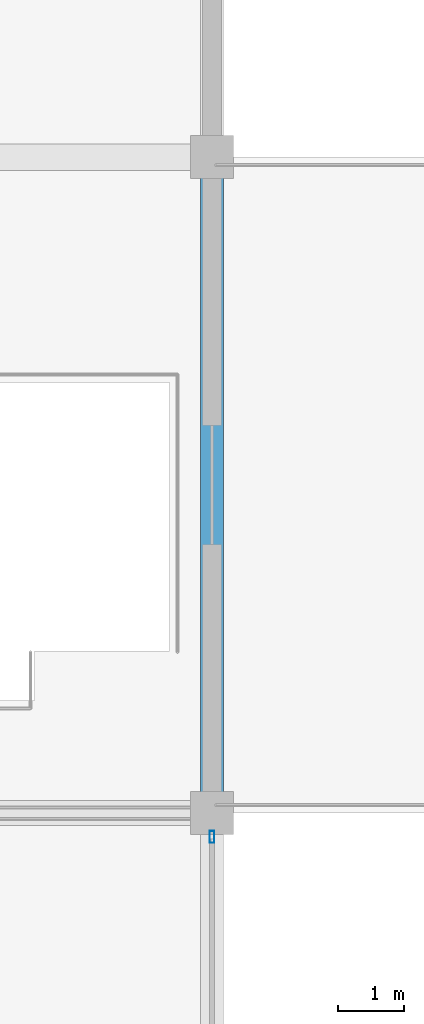
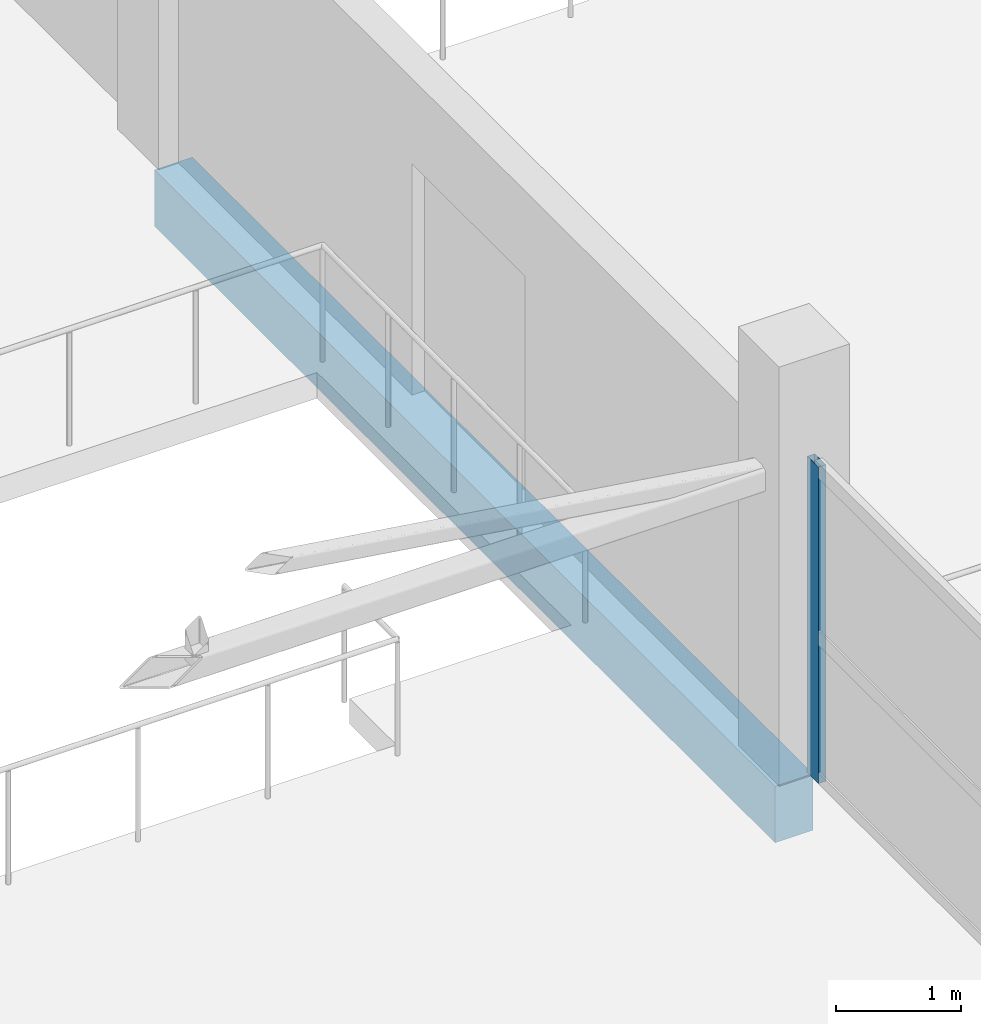
# One storey, part 28 of 53: 1 beam, 1 member, 1 element without a shape of its own.
"""IFC4 building model written with IfcOpenShell, lengths in metres."""

from ifc_helpers import new_model, si_unit, direction, frame, origin, origin_2d, place, context, subcontext, project, spatial, rectangle, hollow_rectangle, extrude, material, layer, layer_set, material_profile, profile_set, type_object, element, aggregate, save


model = new_model("IFC4")

# Units and contexts
model_context = context("Model", 3, precision=1e-05, world=origin(), true_north=direction((0.0, 1.0)))
body_context = subcontext(model_context, "Body", "Model", "MODEL_VIEW")
ifc_project = project(units=[si_unit("LENGTHUNIT", "METRE"), si_unit("AREAUNIT", "SQUARE_METRE"), si_unit("VOLUMEUNIT", "CUBIC_METRE"), si_unit("PLANEANGLEUNIT", "RADIAN"), si_unit("MASSUNIT", "GRAM", prefix="KILO")], contexts=[model_context])

# Site, building, storey
site_placement = place(None, origin())
site = spatial("IfcSite", under=ifc_project, at=site_placement, CompositionType="ELEMENT")
building_placement = place(site_placement, origin())
building = spatial("IfcBuilding", under=site, at=building_placement, Name="Sillaruma Civic Art Gallery", CompositionType="ELEMENT")
storey_placement = place(building_placement, frame((0.0, 0.0, 70.3798828125)))
storey = spatial("IfcBuildingStorey", under=building, at=storey_placement, Name="L14", CompositionType="ELEMENT", Elevation=70.3798828125)

# Beam
ifc_material_1 = material(Name="Concrete H35 (35 MPa)", Category="concrete")
ifc_material_profile_1 = material_profile(ifc_material_1, rectangle(XDim=0.35009765625, YDim=0.550048828125, at=origin_2d()), Name="RCB350x550")
ifc_profile_set_1 = profile_set([ifc_material_profile_1], Name="Concrete H35 (35 MPa)")
beam_type = type_object("IfcBeamType", Name="BM-SPANDREL-RCB350x550", PredefinedType="SPANDREL", material=ifc_profile_set_1)
beam_placement = place(storey_placement, frame((92.0, 69.300048828125, -0.52490234375), z_axis=(0.0, 1.0, 0.0), x_axis=(-1.0, 0.0, 0.0)))
element("IfcBeam", 1, at=beam_placement, inside=storey, type_object=beam_type, Name="Beam BS-04 (L13:K:8-9)", PredefinedType="SPANDREL", context=body_context, shape_type="SweptSolid", body=[
    extrude(rectangle(XDim=0.35009765625, YDim=0.550048828125, at=origin_2d()), origin(), (0.0, 0.0, 1.0), 9.89990234375),
])

# Curtain wall, member
ifc_material_2 = material(Name="Thermally Broken Extruded Aluminium 6063-T6", Category="aluminium")
ifc_layer = layer(ifc_material_2, 0.179931640625, Name="Thermally Broken Extruded Aluminium 6063-T6")
ifc_layer_set = layer_set([ifc_layer], Name="Thermally Broken Extruded Aluminium 6063-T6")
curtain_wall_type = type_object("IfcCurtainWallType", Name="CW-UNI-90", PredefinedType="NOTDEFINED", material=ifc_layer_set)
curtain_wall_placement = place(storey_placement, origin())
curtain_wall = element("IfcCurtainWall", 2, at=curtain_wall_placement, inside=storey, type_object=curtain_wall_type, Name="Unitised Curtain Wall CW-90 (CW-L14-WBE-5)", PredefinedType="NOTDEFINED")
ifc_material_profile_2 = material_profile(ifc_material_2, hollow_rectangle(XDim=0.070068359375, YDim=0.179931640625, WallThickness=0.00390625, at=origin_2d()), Name="CWM70x180")
ifc_profile_set_2 = profile_set([ifc_material_profile_2], Name="Thermally Broken Extruded Aluminium 6063-T6")
member_type = type_object("IfcMemberType", Name="MEM-MUL-CWM70x180", PredefinedType="MULLION", material=ifc_profile_set_2)
member_placement = place(storey_placement, frame((92.0, 68.93994140625, 0.0), z_axis=(0.0, 0.0, 1.0), x_axis=(-1.0, 0.0, 0.0)))
member = element("IfcMember", 3, at=member_placement, type_object=member_type, Name="CW-90 mullion 3", PredefinedType="MULLION", context=body_context, shape_type="SweptSolid", body=[
    extrude(hollow_rectangle(XDim=0.070068359375, YDim=0.179931640625, WallThickness=0.00390625, at=origin_2d()), origin(), (0.0, 0.0, 1.0), 3.080078125),
])
aggregate(curtain_wall, [member])

save(model, "model.ifc")
